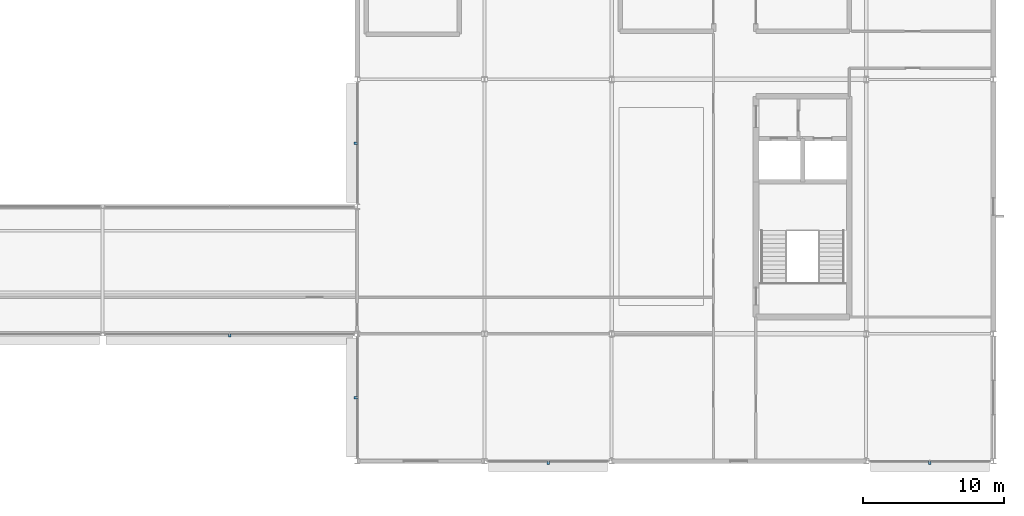
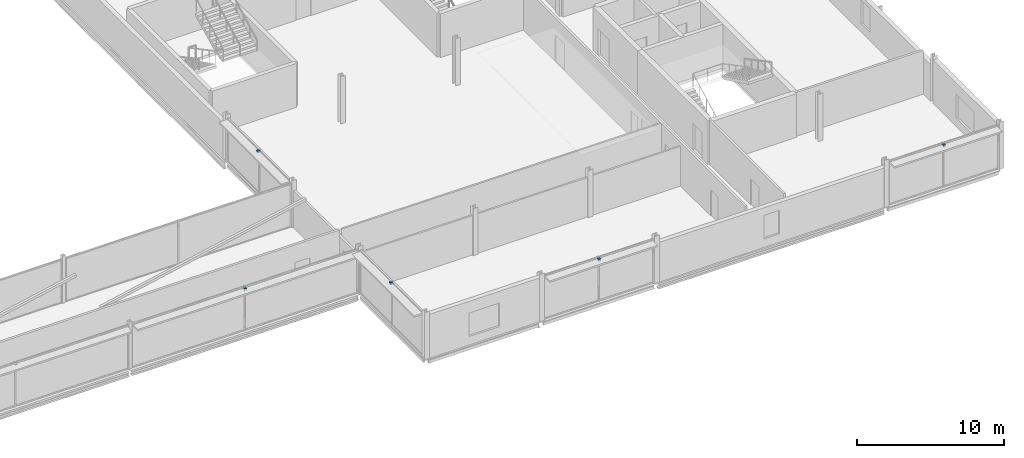
# One storey, part 78 of 98: 5 discrete accessories.
"""IFC4 building model written with IfcOpenShell, lengths in metres."""

from ifc_helpers import new_model, si_unit, direction, frame, origin, origin_2d, place, context, subcontext, project, spatial, rectangle, extrude, material, type_object, element, save


model = new_model("IFC4")

# Units and contexts
model_context = context("Model", 3, precision=1e-05, world=origin(), true_north=direction((0.0, 1.0)))
body_context = subcontext(model_context, "Body", "Model", "MODEL_VIEW")
ifc_project = project(units=[si_unit("LENGTHUNIT", "METRE"), si_unit("AREAUNIT", "SQUARE_METRE"), si_unit("VOLUMEUNIT", "CUBIC_METRE"), si_unit("PLANEANGLEUNIT", "RADIAN"), si_unit("MASSUNIT", "GRAM", prefix="KILO")], contexts=[model_context])

# Site, building, storey
site_placement = place(None, origin())
site = spatial("IfcSite", under=ifc_project, at=site_placement, CompositionType="ELEMENT")
building_placement = place(site_placement, origin())
building = spatial("IfcBuilding", under=site, at=building_placement, Name="Kisiwana Market Hall", CompositionType="ELEMENT")
storey_placement = place(building_placement, frame((0.0, 0.0, 29.39990234375)))
storey = spatial("IfcBuildingStorey", under=building, at=storey_placement, Name="L06", CompositionType="ELEMENT", Elevation=29.39990234375)

# Discrete accessories
ifc_material = material(Name="Steel S355", Category="steel")
discrete_accessory_type = type_object("IfcDiscreteAccessoryType", Name="ACC-BRACKET-STL", PredefinedType="BRACKET", material=ifc_material)
for number, where, z_axis, x_axis, name in (
    (1, (166.498779296875, 8.889892578125, 3.41015625), (0.0, 0.0, 1.0), (1.0, 0.0, 0.0), "Sunshade steel bracket BRK-102"),
    (2, (193.501220703125, 8.889892578125, 3.41015625), (0.0, 0.0, 1.0), (1.0, 0.0, 0.0), "Sunshade steel bracket BRK-103"),
    (3, (143.969970703125, 17.889892578125, 3.41015625), (0.0, 0.0, 1.0), (1.0, 0.0, 0.0), "Sunshade steel bracket BRK-109"),
    (4, (152.889892578125, 13.5, 3.41015625), (0.0, 0.0, 1.0), (0.0, 1.0, 0.0), "Sunshade steel bracket BRK-121"),
    (5, (152.889892578125, 31.5, 3.41015625), (0.0, 0.0, 1.0), (0.0, 1.0, 0.0), "Sunshade steel bracket BRK-122"),
):
    element("IfcDiscreteAccessory", number, at=place(storey_placement, frame(where, z_axis=z_axis, x_axis=x_axis)), inside=storey, type_object=discrete_accessory_type, Name=name, PredefinedType="BRACKET", context=body_context, shape_type="SweptSolid", body=[
        extrude(rectangle(XDim=0.179931640625, YDim=0.239990234375, at=origin_2d()), origin(), (0.0, 0.0, 1.0), 0.179931640625),
    ])

save(model, "model.ifc")
